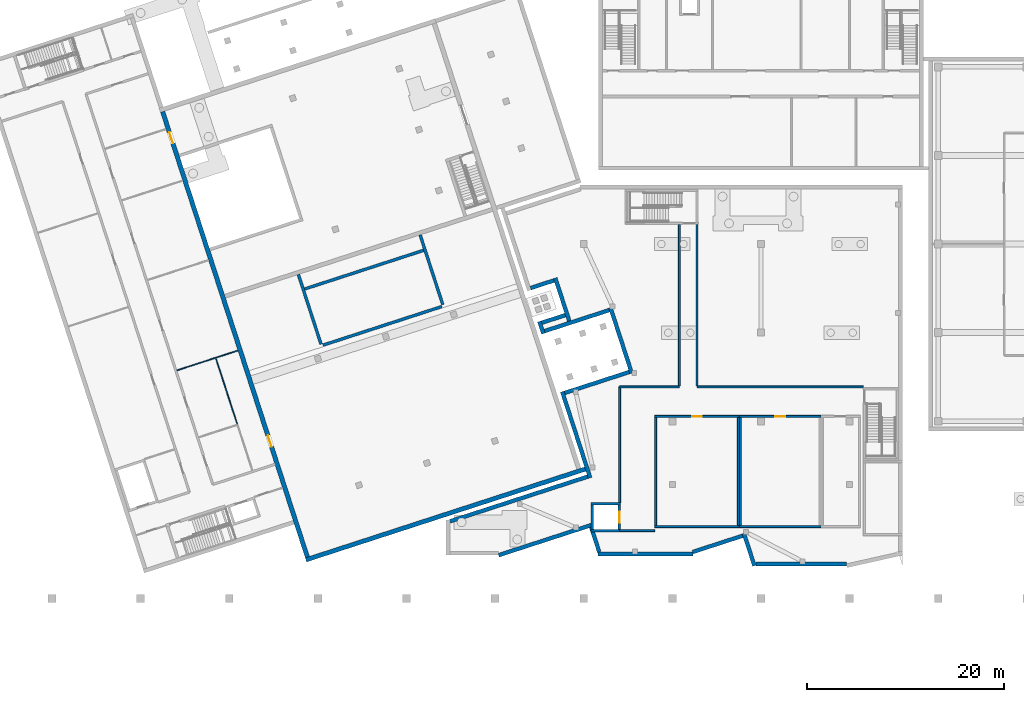
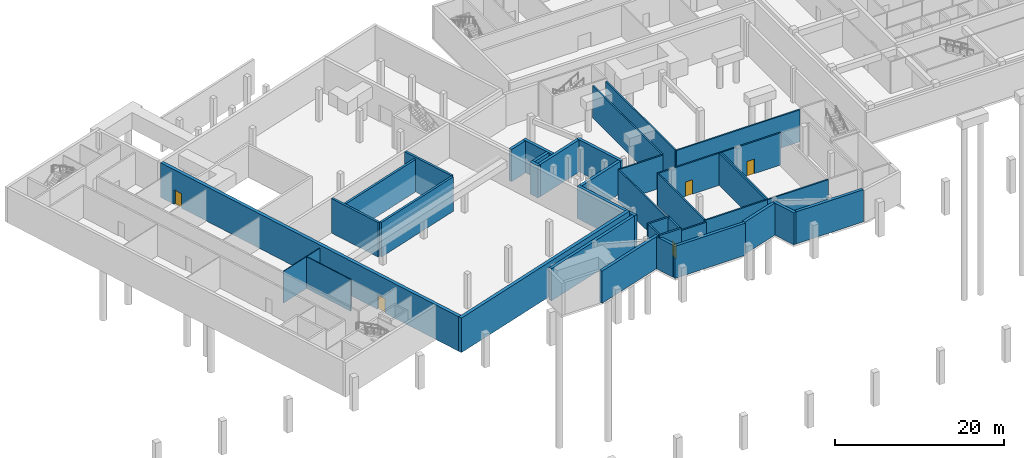
# One storey, part 5 of 15: 40 walls, 5 doors, 5 openings.
"""IFC4 building model written with IfcOpenShell, lengths in metres."""

from ifc_helpers import new_model, si_unit, direction, frame, frame_2d, origin, place, context, subcontext, project, spatial, rectangle, extrude, material, layer, layer_set, type_object, element, fill, save


model = new_model("IFC4")

# Units and contexts
model_context = context("Model", 3, precision=1e-05, world=origin(), true_north=direction((0.0, 1.0)))
body_context = subcontext(model_context, "Body", "Model", "MODEL_VIEW")
ifc_project = project(units=[si_unit("LENGTHUNIT", "METRE"), si_unit("AREAUNIT", "SQUARE_METRE"), si_unit("VOLUMEUNIT", "CUBIC_METRE"), si_unit("PLANEANGLEUNIT", "RADIAN"), si_unit("MASSUNIT", "GRAM", prefix="KILO")], contexts=[model_context])

# Site, building, storey
site_placement = place(None, origin())
site = spatial("IfcSite", under=ifc_project, at=site_placement, CompositionType="ELEMENT")
building_placement = place(site_placement, origin())
building = spatial("IfcBuilding", under=site, at=building_placement, Name="Tuart Plaza Theatre", CompositionType="ELEMENT")
storey_placement = place(building_placement, frame((0.0, 0.0, -5.0)))
storey = spatial("IfcBuildingStorey", under=building, at=storey_placement, Name="B1", CompositionType="ELEMENT", Elevation=-5.0)

# Walls
ifc_material_1 = material(Name="Masonry", Category="masonry")
ifc_layer_1 = layer(ifc_material_1, 0.199951171875)
ifc_layer_set_1 = layer_set([ifc_layer_1], Name="PARTITION BLK200 FRL 120/-/-")
wall_type_1 = type_object("IfcWallType", Name="PARTITION BLK200 FRL 120/-/-", PredefinedType="PARTITIONING", material=ifc_layer_set_1)
wall_1_placement = place(storey_placement, frame((81.64990234375, 47.75, 0.0), z_axis=(0.0, 0.0, 1.0), x_axis=(0.0, 1.0, 0.0)))
element("IfcWall", 1, at=wall_1_placement, inside=storey, type_object=wall_type_1, Name="P374", PredefinedType="PARTITIONING", context=body_context, shape_type="SweptSolid", body=[
    extrude(rectangle(XDim=11.75, YDim=0.199951171875, at=frame_2d((5.875, 0.0))), origin(), (0.0, 0.0, 1.0), 4.64990234375),
])
wall_2_placement = place(storey_placement, frame((81.64990234375, 44.89990234375, 0.0), z_axis=(0.0, 0.0, 1.0), x_axis=(1.0, 0.0, 0.0)))
element("IfcWall", 2, at=wall_2_placement, inside=storey, type_object=wall_type_1, Name="P375", PredefinedType="PARTITIONING", context=body_context, shape_type="SweptSolid", body=[
    extrude(rectangle(XDim=3.550048828125, YDim=0.199951171875, at=frame_2d((1.77490234375, 0.0))), origin(), (0.0, 0.0, 1.0), 4.64990234375),
])
wall_3_placement = place(storey_placement, frame((81.64990234375, 59.5, 0.0), z_axis=(0.0, 0.0, 1.0), x_axis=(1.0, 0.0, 0.0)))
element("IfcWall", 3, at=wall_3_placement, inside=storey, type_object=wall_type_1, Name="P376", PredefinedType="PARTITIONING", context=body_context, shape_type="SweptSolid", body=[
    extrude(rectangle(XDim=6.050048828125, YDim=0.199951171875, at=frame_2d((3.02490234375, 0.0))), origin(), (0.0, 0.0, 1.0), 4.64990234375),
])
wall_4_placement = place(storey_placement, frame((89.5, 59.5, 0.0), z_axis=(0.0, 0.0, 1.0), x_axis=(1.0, 0.0, 0.0)))
element("IfcWall", 4, at=wall_4_placement, inside=storey, type_object=wall_type_1, Name="P377", PredefinedType="PARTITIONING", context=body_context, shape_type="SweptSolid", body=[
    extrude(rectangle(XDim=16.89990234375, YDim=0.199951171875, at=frame_2d((8.449951171875, 0.0))), origin(), (0.0, 0.0, 1.0), 4.64990234375),
])
for number, where, z_axis, x_axis, name in (
    (5, (87.699951171875, 59.60009765625, 0.0), (0.0, 0.0, 1.0), (0.0, 1.0, 0.0), "P378"),
    (6, (89.5, 59.60009765625, 0.0), (0.0, 0.0, 1.0), (0.0, 1.0, 0.0), "P379"),
):
    element("IfcWall", number, at=place(storey_placement, frame(where, z_axis=z_axis, x_axis=x_axis)), inside=storey, type_object=wall_type_1, Name=name, PredefinedType="PARTITIONING", context=body_context, shape_type="SweptSolid", body=[
        extrude(rectangle(XDim=16.39990234375, YDim=0.199951171875, at=frame_2d((8.199951171875, 0.0))), origin(), (0.0, 0.0, 1.0), 4.64990234375),
    ])
ifc_material_2 = material(Name="Masonry", Category="masonry")
ifc_layer_2 = layer(ifc_material_2, 0.199951171875)
ifc_layer_set_2 = layer_set([ifc_layer_2], Name="PARTITION BLK200 FRL 120/120/120")
wall_type_2 = type_object("IfcWallType", Name="PARTITION BLK200 FRL 120/120/120", PredefinedType="PARTITIONING", material=ifc_layer_set_2)
wall_5_placement = place(storey_placement, frame((85.199951171875, 45.300048828125, 0.0), z_axis=(0.0, 0.0, 1.0), x_axis=(1.0, 0.0, 0.0)))
element("IfcWall", 7, at=wall_5_placement, inside=storey, type_object=wall_type_2, Name="P362", PredefinedType="PARTITIONING", context=body_context, shape_type="SweptSolid", body=[
    extrude(rectangle(XDim=8.60009765625, YDim=0.199951171875, at=frame_2d((4.300048828125, 0.0))), origin(), (0.0, 0.0, 1.0), 4.64990234375),
])
wall_6_placement = place(storey_placement, frame((93.699951171875, 45.39990234375, 0.0), z_axis=(0.0, 0.0, 1.0), x_axis=(0.0, 1.0, 0.0)))
element("IfcWall", 8, at=wall_6_placement, inside=storey, type_object=wall_type_2, Name="P363", PredefinedType="PARTITIONING", context=body_context, shape_type="SweptSolid", body=[
    extrude(rectangle(XDim=11.0, YDim=0.199951171875, at=frame_2d((5.5, 0.0))), origin(), (0.0, 0.0, 1.0), 4.64990234375),
])

# Wall, opening, door
wall_7_placement = place(storey_placement, frame((93.800048828125, 56.5, 0.0), z_axis=(0.0, 0.0, 1.0), x_axis=(-1.0, 0.0, 0.0)))
wall_7 = element("IfcWall", 9, at=wall_7_placement, inside=storey, type_object=wall_type_2, Name="P364", PredefinedType="PARTITIONING", context=body_context, shape_type="SweptSolid", body=[
    extrude(rectangle(XDim=8.60009765625, YDim=0.199951171875, at=frame_2d((4.300048828125, 0.0))), origin(), (0.0, 0.0, 1.0), 4.64990234375),
])
opening_1_placement = place(wall_7_placement, frame((3.800048828125, 0.0, 0.0)))
opening_1 = element("IfcOpeningElement", 10, at=opening_1_placement, cuts=wall_7, Name="Opening B1-028", PredefinedType="OPENING", context=body_context, shape_type="SweptSolid", body=[
    extrude(rectangle(XDim=1.0, YDim=2.10009765625, at=frame_2d((0.5, 1.050048828125))), frame((0.0, 0.10986328125, 0.0), z_axis=(0.0, -1.0, 0.0), x_axis=(1.0, 0.0, 0.0)), (0.0, 0.0, 1.0), 0.219970703125),
])
ifc_material_3 = material(Name="Steel Grade 300", Category="steel")
door_type_1 = type_object("IfcDoorType", Name="DOOR 1000x2100 steel single swing FRL -/120/30", OperationType="SINGLE_SWING_LEFT", PredefinedType="DOOR", material=ifc_material_3)
door_1_placement = place(opening_1_placement, frame((1.0, 0.0, 0.0), z_axis=(0.0, 0.0, 1.0), x_axis=(-1.0, 0.0, 0.0)))
door_1 = element("IfcDoor", 11, at=door_1_placement, inside=storey, type_object=door_type_1, Name="B1-028", OperationType="SINGLE_SWING_RIGHT", OverallHeight=2.10009765625, OverallWidth=1.0, PredefinedType="DOOR", context=body_context, shape_type="SweptSolid", body=[
    extrude(rectangle(XDim=1.0, YDim=2.10009765625, at=frame_2d((0.5, 1.050048828125))), frame((0.0, 0.02490234375, 0.0), z_axis=(0.0, -1.0, 0.0), x_axis=(1.0, 0.0, 0.0)), (0.0, 0.0, 1.0), 0.050048828125),
])
fill(opening_1, door_1)

# Walls
wall_8_placement = place(storey_placement, frame((85.300048828125, 56.39990234375, 0.0), z_axis=(0.0, 0.0, 1.0), x_axis=(0.0, -1.0, 0.0)))
element("IfcWall", 12, at=wall_8_placement, inside=storey, type_object=wall_type_2, Name="P365", PredefinedType="PARTITIONING", context=body_context, shape_type="SweptSolid", body=[
    extrude(rectangle(XDim=11.0, YDim=0.199951171875, at=frame_2d((5.5, 0.0))), origin(), (0.0, 0.0, 1.0), 4.64990234375),
])
wall_9_placement = place(storey_placement, frame((93.800048828125, 45.300048828125, 0.0), z_axis=(0.0, 0.0, 1.0), x_axis=(1.0, 0.0, 0.0)))
element("IfcWall", 13, at=wall_9_placement, inside=storey, type_object=wall_type_2, Name="P366", PredefinedType="PARTITIONING", context=body_context, shape_type="SweptSolid", body=[
    extrude(rectangle(XDim=8.300048828125, YDim=0.199951171875, at=frame_2d((4.14990234375, 0.0))), origin(), (0.0, 0.0, 1.0), 4.64990234375),
])

# Wall, opening, door
wall_10_placement = place(storey_placement, frame((102.10009765625, 56.5, 0.0), z_axis=(0.0, 0.0, 1.0), x_axis=(-1.0, 0.0, 0.0)))
wall_10 = element("IfcWall", 14, at=wall_10_placement, inside=storey, type_object=wall_type_2, Name="P368", PredefinedType="PARTITIONING", context=body_context, shape_type="SweptSolid", body=[
    extrude(rectangle(XDim=8.300048828125, YDim=0.199951171875, at=frame_2d((4.14990234375, 0.0))), origin(), (0.0, 0.0, 1.0), 4.64990234375),
])
opening_2_placement = place(wall_10_placement, frame((3.64990234375, 0.0, 0.0)))
opening_2 = element("IfcOpeningElement", 15, at=opening_2_placement, cuts=wall_10, Name="Opening B1-029", PredefinedType="OPENING", context=body_context, shape_type="SweptSolid", body=[
    extrude(rectangle(XDim=1.0, YDim=2.10009765625, at=frame_2d((0.5, 1.050048828125))), frame((0.0, 0.10986328125, 0.0), z_axis=(0.0, -1.0, 0.0), x_axis=(1.0, 0.0, 0.0)), (0.0, 0.0, 1.0), 0.219970703125),
])
door_2_placement = place(opening_2_placement, frame((1.0, 0.0, 0.0), z_axis=(0.0, 0.0, 1.0), x_axis=(-1.0, 0.0, 0.0)))
door_2 = element("IfcDoor", 16, at=door_2_placement, inside=storey, type_object=door_type_1, Name="B1-029", OperationType="SINGLE_SWING_RIGHT", OverallHeight=2.10009765625, OverallWidth=1.0, PredefinedType="DOOR", context=body_context, shape_type="SweptSolid", body=[
    extrude(rectangle(XDim=1.0, YDim=2.10009765625, at=frame_2d((0.5, 1.050048828125))), frame((0.0, 0.02490234375, 0.0), z_axis=(0.0, -1.0, 0.0), x_axis=(1.0, 0.0, 0.0)), (0.0, 0.0, 1.0), 0.050048828125),
])
fill(opening_2, door_2)

# Walls
wall_11_placement = place(storey_placement, frame((93.89990234375, 56.39990234375, 0.0), z_axis=(0.0, 0.0, 1.0), x_axis=(0.0, -1.0, 0.0)))
element("IfcWall", 17, at=wall_11_placement, inside=storey, type_object=wall_type_2, Name="P369", PredefinedType="PARTITIONING", context=body_context, shape_type="SweptSolid", body=[
    extrude(rectangle(XDim=11.0, YDim=0.199951171875, at=frame_2d((5.5, 0.0))), origin(), (0.0, 0.0, 1.0), 4.64990234375),
])
ifc_material_4 = material(Name="Plasterboard on steel stud", Category="steel")
ifc_layer_3 = layer(ifc_material_4, 0.10009765625)
ifc_layer_set_3 = layer_set([ifc_layer_3], Name="PARTITION STD100 FRL -/120/120")
wall_type_3 = type_object("IfcWallType", Name="PARTITION STD100 FRL -/120/120", PredefinedType="PARTITIONING", material=ifc_layer_set_3)
wall_12_placement = place(storey_placement, frame((36.683349609375, 61.17333984375, 0.0), z_axis=(0.0, 0.0, 1.0), x_axis=(0.951058024796, 0.309012351648, 0.0)))
element("IfcWall", 18, at=wall_12_placement, inside=storey, type_object=wall_type_3, Name="P205", PredefinedType="PARTITIONING", context=body_context, shape_type="SweptSolid", body=[
    extrude(rectangle(XDim=6.514892578125, YDim=0.10009765625, at=frame_2d((3.25732421875, 0.0))), origin(), (0.0, 0.0, 1.0), 4.60009765625),
])
wall_13_placement = place(storey_placement, frame((42.814697265625, 55.7001953125, 0.0), z_axis=(0.0, 0.0, 1.0), x_axis=(-0.309008548956, 0.951059260337, 0.0)))
element("IfcWall", 19, at=wall_13_placement, inside=storey, type_object=wall_type_3, Name="P215", PredefinedType="PARTITIONING", context=body_context, shape_type="SweptSolid", body=[
    extrude(rectangle(XDim=7.0498046875, YDim=0.10009765625, at=frame_2d((3.52490234375, 0.0))), origin(), (0.0, 0.0, 1.0), 4.60009765625),
])
ifc_material_5 = material(Name="Concrete N40 (40 MPa)", Category="concrete")
ifc_layer_4 = layer(ifc_material_5, 0.25)
ifc_layer_set_4 = layer_set([ifc_layer_4], Name="SHEAR WALL RC250 FRL 120/120/120")
wall_type_4 = type_object("IfcWallType", Name="SHEAR WALL RC250 FRL 120/120/120", PredefinedType="SHEAR", material=ifc_layer_set_4)
wall_14_placement = place(storey_placement, frame((78.75, 44.875, 0.0), z_axis=(0.0, 0.0, 1.0), x_axis=(1.0, 0.0, 0.0)))
element("IfcWall", 20, at=wall_14_placement, inside=storey, type_object=wall_type_4, Name="W271", PredefinedType="SHEAR", context=body_context, shape_type="SweptSolid", body=[
    extrude(rectangle(XDim=3.0, YDim=0.25, at=frame_2d((1.5, 0.0))), origin(), (0.0, 0.0, 1.0), 5.0),
])

# Wall, opening, door
wall_15_placement = place(storey_placement, frame((81.625, 45.0, 0.0), z_axis=(0.0, 0.0, 1.0), x_axis=(0.0, 1.0, 0.0)))
wall_15 = element("IfcWall", 21, at=wall_15_placement, inside=storey, type_object=wall_type_4, Name="W272", PredefinedType="SHEAR", context=body_context, shape_type="SweptSolid", body=[
    extrude(rectangle(XDim=2.5, YDim=0.25, at=frame_2d((1.25, 0.0))), origin(), (0.0, 0.0, 1.0), 5.0),
])
opening_3_placement = place(wall_15_placement, frame((0.699951171875, 0.0, 0.0)))
opening_3 = element("IfcOpeningElement", 22, at=opening_3_placement, cuts=wall_15, Name="Opening B1-003", PredefinedType="OPENING", context=body_context, shape_type="SweptSolid", body=[
    extrude(rectangle(XDim=1.10009765625, YDim=2.10009765625, at=frame_2d((0.550048828125, 1.050048828125))), frame((0.0, 0.135009765625, 0.0), z_axis=(0.0, -1.0, 0.0), x_axis=(1.0, 0.0, 0.0)), (0.0, 0.0, 1.0), 0.27001953125),
])
ifc_material_6 = material(Name="Steel Grade 300", Category="steel")
door_type_2 = type_object("IfcDoorType", Name="LANDING DOOR 1100x2100 steel sliding FRL -/120/30", OperationType="SLIDING_TO_LEFT", PredefinedType="DOOR", material=ifc_material_6)
door_3_placement = place(opening_3_placement, origin())
door_3 = element("IfcDoor", 23, at=door_3_placement, inside=storey, type_object=door_type_2, Name="B1-003", OperationType="SLIDING_TO_LEFT", OverallHeight=2.10009765625, OverallWidth=1.10009765625, PredefinedType="DOOR", context=body_context, shape_type="SweptSolid", body=[
    extrude(rectangle(XDim=1.10009765625, YDim=2.10009765625, at=frame_2d((0.550048828125, 1.050048828125))), frame((0.0, 0.02490234375, 0.0), z_axis=(0.0, -1.0, 0.0), x_axis=(1.0, 0.0, 0.0)), (0.0, 0.0, 1.0), 0.050048828125),
])
fill(opening_3, door_3)

# Walls
wall_16_placement = place(storey_placement, frame((81.75, 47.625, 0.0), z_axis=(0.0, 0.0, 1.0), x_axis=(-1.0, 0.0, 0.0)))
element("IfcWall", 24, at=wall_16_placement, inside=storey, type_object=wall_type_4, Name="W273", PredefinedType="SHEAR", context=body_context, shape_type="SweptSolid", body=[
    extrude(rectangle(XDim=3.0, YDim=0.25, at=frame_2d((1.5, 0.0))), origin(), (0.0, 0.0, 1.0), 5.0),
])
wall_17_placement = place(storey_placement, frame((78.875, 47.5, 0.0), z_axis=(0.0, 0.0, 1.0), x_axis=(0.0, -1.0, 0.0)))
element("IfcWall", 25, at=wall_17_placement, inside=storey, type_object=wall_type_4, Name="W274", PredefinedType="SHEAR", context=body_context, shape_type="SweptSolid", body=[
    extrude(rectangle(XDim=2.5, YDim=0.25, at=frame_2d((1.25, 0.0))), origin(), (0.0, 0.0, 1.0), 5.0),
])
ifc_material_7 = material(Name="Concrete N40 (40 MPa)", Category="concrete")
ifc_layer_5 = layer(ifc_material_7, 0.39990234375)
ifc_layer_set_5 = layer_set([ifc_layer_5], Name="SHEAR WALL RC400 FRL 120/120/120 EXT")
wall_type_5 = type_object("IfcWallType", Name="SHEAR WALL RC400 FRL 120/120/120 EXT", PredefinedType="SHEAR", material=ifc_layer_set_5)
wall_18_placement = place(storey_placement, frame((104.675048828125, 41.52880859375, 0.0), z_axis=(0.0, 0.0, 1.0), x_axis=(-1.0, 0.0, 0.0)))
element("IfcWall", 26, at=wall_18_placement, inside=storey, type_object=wall_type_5, Name="W314", PredefinedType="SHEAR", context=body_context, shape_type="SweptSolid", body=[
    extrude(rectangle(XDim=9.199462890625, YDim=0.39990234375, at=frame_2d((4.599609375, 0.0))), origin(), (0.0, 0.0, 1.0), 4.64990234375),
])
wall_19_placement = place(storey_placement, frame((95.330322265625, 41.328857421875, 0.0), z_axis=(0.0, 0.0, 1.0), x_axis=(-0.309031903466, 0.951051671908, 0.0)))
element("IfcWall", 27, at=wall_19_placement, inside=storey, type_object=wall_type_5, Name="W315", PredefinedType="SHEAR", context=body_context, shape_type="SweptSolid", body=[
    extrude(rectangle(XDim=3.465087890625, YDim=0.39990234375, at=frame_2d((1.732421875, 0.0))), origin(), (0.0, 0.0, 1.0), 4.64990234375),
])
wall_20_placement = place(storey_placement, frame((94.131103515625, 44.372314453125, 0.0), z_axis=(0.0, 0.0, 1.0), x_axis=(-0.951055646044, -0.309019672719, 0.0)))
element("IfcWall", 28, at=wall_20_placement, inside=storey, type_object=wall_type_5, Name="W316", PredefinedType="SHEAR", context=body_context, shape_type="SweptSolid", body=[
    extrude(rectangle(XDim=5.321044921875, YDim=0.39990234375, at=frame_2d((2.66064453125, 0.0))), origin(), (0.0, 0.0, 1.0), 4.64990234375),
])
wall_21_placement = place(storey_placement, frame((89.10205078125, 42.528076171875, 0.0), z_axis=(0.0, 0.0, 1.0), x_axis=(-1.0, 0.0, 0.0)))
element("IfcWall", 29, at=wall_21_placement, inside=storey, type_object=wall_type_5, Name="W317", PredefinedType="SHEAR", context=body_context, shape_type="SweptSolid", body=[
    extrude(rectangle(XDim=9.680419921875, YDim=0.39990234375, at=frame_2d((4.84033203125, 0.0))), origin(), (0.0, 0.0, 1.0), 4.64990234375),
])
wall_22_placement = place(storey_placement, frame((79.56689453125, 42.72802734375, 0.0), z_axis=(0.0, 0.0, 1.0), x_axis=(-0.309017178858, 0.951056456353, 0.0)))
element("IfcWall", 30, at=wall_22_placement, inside=storey, type_object=wall_type_5, Name="W318", PredefinedType="SHEAR", context=body_context, shape_type="SweptSolid", body=[
    extrude(rectangle(XDim=2.644287109375, YDim=0.39990234375, at=frame_2d((1.322265625, 0.0))), origin(), (0.0, 0.0, 1.0), 4.64990234375),
])
wall_23_placement = place(storey_placement, frame((78.878173828125, 45.4951171875, 0.0), z_axis=(0.0, 0.0, 1.0), x_axis=(-0.951049831214, -0.309037568181, 0.0)))
element("IfcWall", 31, at=wall_23_placement, inside=storey, type_object=wall_type_5, Name="W319", PredefinedType="SHEAR", context=body_context, shape_type="SweptSolid", body=[
    extrude(rectangle(XDim=10.015625, YDim=0.39990234375, at=frame_2d((5.0078125, 0.0))), origin(), (0.0, 0.0, 1.0), 4.64990234375),
])
wall_24_placement = place(storey_placement, frame((64.39990234375, 45.837646484375, 0.0), z_axis=(0.0, 0.0, 1.0), x_axis=(0.951057713249, 0.309013310507, 0.0)))
element("IfcWall", 32, at=wall_24_placement, inside=storey, type_object=wall_type_5, Name="W322", PredefinedType="SHEAR", context=body_context, shape_type="SweptSolid", body=[
    extrude(rectangle(XDim=14.718994140625, YDim=0.39990234375, at=frame_2d((7.359375, 0.0))), origin(), (0.0, 0.0, 1.0), 4.64990234375),
])
wall_25_placement = place(storey_placement, frame((78.650390625, 50.257568359375, 0.0), z_axis=(0.0, 0.0, 1.0), x_axis=(-0.308997864065, 0.951062731897, 0.0)))
element("IfcWall", 33, at=wall_25_placement, inside=storey, type_object=wall_type_5, Name="W323", PredefinedType="SHEAR", context=body_context, shape_type="SweptSolid", body=[
    extrude(rectangle(XDim=9.199951171875, YDim=0.39990234375, at=frame_2d((4.60009765625, 0.0))), origin(), (0.0, 0.0, 1.0), 4.64990234375),
])
wall_26_placement = place(storey_placement, frame((76.0595703125, 58.87890625, 0.0), z_axis=(0.0, 0.0, 1.0), x_axis=(0.951051488548, 0.309032467762, 0.0)))
element("IfcWall", 34, at=wall_26_placement, inside=storey, type_object=wall_type_5, Name="W324", PredefinedType="SHEAR", context=body_context, shape_type="SweptSolid", body=[
    extrude(rectangle(XDim=6.89990234375, YDim=0.39990234375, at=frame_2d((3.449951171875, 0.0))), origin(), (0.0, 0.0, 1.0), 4.64990234375),
])
wall_27_placement = place(storey_placement, frame((82.8740234375, 60.8828125, 0.0), z_axis=(0.0, 0.0, 1.0), x_axis=(-0.309041120869, 0.951048676784, 0.0)))
element("IfcWall", 35, at=wall_27_placement, inside=storey, type_object=wall_type_5, Name="W325", PredefinedType="SHEAR", context=body_context, shape_type="SweptSolid", body=[
    extrude(rectangle(XDim=7.000244140625, YDim=0.39990234375, at=frame_2d((3.5, 0.0))), origin(), (0.0, 0.0, 1.0), 4.64990234375),
])
wall_28_placement = place(storey_placement, frame((80.582275390625, 67.2880859375, 0.0), z_axis=(0.0, 0.0, 1.0), x_axis=(-0.951061887302, -0.309000463626, 0.0)))
element("IfcWall", 36, at=wall_28_placement, inside=storey, type_object=wall_type_5, Name="W326", PredefinedType="SHEAR", context=body_context, shape_type="SweptSolid", body=[
    extrude(rectangle(XDim=6.89990234375, YDim=0.39990234375, at=frame_2d((3.449951171875, 0.0))), origin(), (0.0, 0.0, 1.0), 4.64990234375),
])
wall_29_placement = place(storey_placement, frame((73.8916015625, 64.90380859375, 0.0), z_axis=(0.0, 0.0, 1.0), x_axis=(-0.308894997357, 0.951096146879, 0.0)))
element("IfcWall", 37, at=wall_29_placement, inside=storey, type_object=wall_type_5, Name="W327", PredefinedType="SHEAR", context=body_context, shape_type="SweptSolid", body=[
    extrude(rectangle(XDim=1.300048828125, YDim=0.39990234375, at=frame_2d((0.64990234375, 0.0))), origin(), (0.0, 0.0, 1.0), 4.64990234375),
])
wall_30_placement = place(storey_placement, frame((73.741943359375, 66.011962890625, 0.0), z_axis=(0.0, 0.0, 1.0), x_axis=(0.951067792613, 0.308982287281, 0.0)))
element("IfcWall", 38, at=wall_30_placement, inside=storey, type_object=wall_type_5, Name="W328", PredefinedType="SHEAR", context=body_context, shape_type="SweptSolid", body=[
    extrude(rectangle(XDim=2.5, YDim=0.39990234375, at=frame_2d((1.25, 0.0))), origin(), (0.0, 0.0, 1.0), 4.64990234375),
])
wall_31_placement = place(storey_placement, frame((76.526123046875, 66.180419921875, 0.0), z_axis=(0.0, 0.0, 1.0), x_axis=(-0.309038070164, 0.951049668098, 0.0)))
element("IfcWall", 39, at=wall_31_placement, inside=storey, type_object=wall_type_5, Name="W329", PredefinedType="SHEAR", context=body_context, shape_type="SweptSolid", body=[
    extrude(rectangle(XDim=4.60009765625, YDim=0.39990234375, at=frame_2d((2.300048828125, 0.0))), origin(), (0.0, 0.0, 1.0), 4.64990234375),
])
wall_32_placement = place(storey_placement, frame((74.97607421875, 70.30322265625, 0.0), z_axis=(0.0, 0.0, 1.0), x_axis=(-0.95105846813, -0.30901098718, 0.0)))
element("IfcWall", 40, at=wall_32_placement, inside=storey, type_object=wall_type_5, Name="W330", PredefinedType="SHEAR", context=body_context, shape_type="SweptSolid", body=[
    extrude(rectangle(XDim=2.499755859375, YDim=0.39990234375, at=frame_2d((1.25, 0.0))), origin(), (0.0, 0.0, 1.0), 4.64990234375),
])
ifc_material_8 = material(Name="Concrete N50 (50 MPa)", Category="concrete")
ifc_layer_6 = layer(ifc_material_8, 0.449951171875)
ifc_layer_set_6 = layer_set([ifc_layer_6], Name="SHEAR WALL RC450 N50 FRL 120/120/120")
wall_type_6 = type_object("IfcWallType", Name="SHEAR WALL RC450 N50 FRL 120/120/120", PredefinedType="SHEAR", material=ifc_layer_set_6)
wall_33_placement = place(storey_placement, frame((49.7861328125, 41.930419921875, 0.0), z_axis=(0.0, 0.0, 1.0), x_axis=(0.951055241216, 0.309020918639, 0.0)))
element("IfcWall", 41, at=wall_33_placement, inside=storey, type_object=wall_type_6, Name="W8", PredefinedType="SHEAR", context=body_context, shape_type="SweptSolid", body=[
    extrude(rectangle(XDim=29.824951171875, YDim=0.449951171875, at=frame_2d((14.91259765625, 0.0))), origin(), (0.0, 0.0, 1.0), 5.0),
])

# Wall, openings, doors
wall_34_placement = place(storey_placement, frame((49.930419921875, 42.2138671875, 0.0), z_axis=(0.0, 0.0, 1.0), x_axis=(-0.309013046462, 0.951057799041, 0.0)))
wall_34 = element("IfcWall", 42, at=wall_34_placement, inside=storey, type_object=wall_type_6, Name="W9", PredefinedType="SHEAR", context=body_context, shape_type="SweptSolid", body=[
    extrude(rectangle(XDim=47.550048828125, YDim=0.449951171875, at=frame_2d((23.77490234375, 0.0))), origin(), (0.0, 0.0, 1.0), 5.0),
])
opening_4_placement = place(wall_34_placement, frame((11.77490234375, 0.0, 0.0)))
opening_4 = element("IfcOpeningElement", 43, at=opening_4_placement, cuts=wall_34, Name="Opening B1-023", PredefinedType="OPENING", context=body_context, shape_type="SweptSolid", body=[
    extrude(rectangle(XDim=1.199951171875, YDim=2.10009765625, at=frame_2d((0.60009765625, 1.050048828125))), frame((0.0, 0.23486328125, 0.0), z_axis=(0.0, -1.0, 0.0), x_axis=(1.0, 0.0, 0.0)), (0.0, 0.0, 1.0), 0.469970703125),
])
opening_5_placement = place(wall_34_placement, frame((44.175048828125, 0.0, 0.0)))
opening_5 = element("IfcOpeningElement", 44, at=opening_5_placement, cuts=wall_34, Name="Opening B1-024", PredefinedType="OPENING", context=body_context, shape_type="SweptSolid", body=[
    extrude(rectangle(XDim=1.199951171875, YDim=2.10009765625, at=frame_2d((0.60009765625, 1.050048828125))), frame((0.0, 0.23486328125, 0.0), z_axis=(0.0, -1.0, 0.0), x_axis=(1.0, 0.0, 0.0)), (0.0, 0.0, 1.0), 0.469970703125),
])
ifc_material_9 = material(Name="Timber", Category="wood")
door_type_3 = type_object("IfcDoorType", Name="DOOR 1200x2100 timber single swing FRL -/120/30", OperationType="SINGLE_SWING_LEFT", PredefinedType="DOOR", material=ifc_material_9)
door_4_placement = place(opening_4_placement, frame((1.199951171875, 0.0, 0.0), z_axis=(0.0, 0.0, 1.0), x_axis=(-1.0, 0.0, 0.0)))
door_4 = element("IfcDoor", 45, at=door_4_placement, inside=storey, type_object=door_type_3, Name="B1-023", OperationType="SINGLE_SWING_LEFT", OverallHeight=2.10009765625, OverallWidth=1.199951171875, PredefinedType="DOOR", context=body_context, shape_type="SweptSolid", body=[
    extrude(rectangle(XDim=1.199951171875, YDim=2.10009765625, at=frame_2d((0.60009765625, 1.050048828125))), frame((0.0, 0.02490234375, 0.0), z_axis=(0.0, -1.0, 0.0), x_axis=(1.0, 0.0, 0.0)), (0.0, 0.0, 1.0), 0.050048828125),
])
fill(opening_4, door_4)
door_5_placement = place(opening_5_placement, frame((1.199951171875, 0.0, 0.0), z_axis=(0.0, 0.0, 1.0), x_axis=(-1.0, 0.0, 0.0)))
door_5 = element("IfcDoor", 46, at=door_5_placement, inside=storey, type_object=door_type_3, Name="B1-024", OperationType="SINGLE_SWING_RIGHT", OverallHeight=2.10009765625, OverallWidth=1.199951171875, PredefinedType="DOOR", context=body_context, shape_type="SweptSolid", body=[
    extrude(rectangle(XDim=1.199951171875, YDim=2.10009765625, at=frame_2d((0.60009765625, 1.050048828125))), frame((0.0, 0.02490234375, 0.0), z_axis=(0.0, -1.0, 0.0), x_axis=(1.0, 0.0, 0.0)), (0.0, 0.0, 1.0), 0.050048828125),
])
fill(opening_5, door_5)

# Walls
ifc_material_10 = material(Name="Concrete N40 (40 MPa)", Category="concrete")
ifc_layer_7 = layer(ifc_material_10, 0.300048828125)
ifc_layer_set_7 = layer_set([ifc_layer_7], Name="WALL RC300 LB FRL 120/120/120")
wall_type_7 = type_object("IfcWallType", Name="WALL RC300 LB FRL 120/120/120", PredefinedType="SOLIDWALL", material=ifc_layer_set_7)
wall_35_placement = place(storey_placement, frame((51.320068359375, 63.826171875, 0.0), z_axis=(0.0, 0.0, 1.0), x_axis=(-0.309022346796, 0.951054777171, 0.0)))
element("IfcWall", 47, at=wall_35_placement, inside=storey, type_object=wall_type_7, Name="W20", PredefinedType="SOLIDWALL", context=body_context, shape_type="SweptSolid", body=[
    extrude(rectangle(XDim=7.4501953125, YDim=0.300048828125, at=frame_2d((3.72509765625, 0.0))), origin(), (0.0, 0.0, 1.0), 5.0),
])
wall_36_placement = place(storey_placement, frame((63.68359375, 67.84326171875, 0.0), z_axis=(0.0, 0.0, 1.0), x_axis=(-0.308992705592, 0.951064407856, 0.0)))
element("IfcWall", 48, at=wall_36_placement, inside=storey, type_object=wall_type_7, Name="W21", PredefinedType="SOLIDWALL", context=body_context, shape_type="SweptSolid", body=[
    extrude(rectangle(XDim=7.449951171875, YDim=0.300048828125, at=frame_2d((3.72509765625, 0.0))), origin(), (0.0, 0.0, 1.0), 5.0),
])
wall_37_placement = place(storey_placement, frame((51.509033203125, 63.729736328125, 0.0), z_axis=(0.0, 0.0, 1.0), x_axis=(0.951055115902, 0.30902130431, 0.0)))
element("IfcWall", 49, at=wall_37_placement, inside=storey, type_object=wall_type_7, Name="W22", PredefinedType="SOLIDWALL", context=body_context, shape_type="SweptSolid", body=[
    extrude(rectangle(XDim=12.699951171875, YDim=0.300048828125, at=frame_2d((6.35009765625, 0.0))), origin(), (0.0, 0.0, 1.0), 5.0),
])
wall_38_placement = place(storey_placement, frame((49.65478515625, 69.436279296875, 0.0), z_axis=(0.0, 0.0, 1.0), x_axis=(0.951062601064, 0.308998266756, 0.0)))
element("IfcWall", 50, at=wall_38_placement, inside=storey, type_object=wall_type_7, Name="W23", PredefinedType="SOLIDWALL", context=body_context, shape_type="SweptSolid", body=[
    extrude(rectangle(XDim=12.7001953125, YDim=0.300048828125, at=frame_2d((6.35009765625, 0.0))), origin(), (0.0, 0.0, 1.0), 4.699951171875),
])

save(model, "model.ifc")
